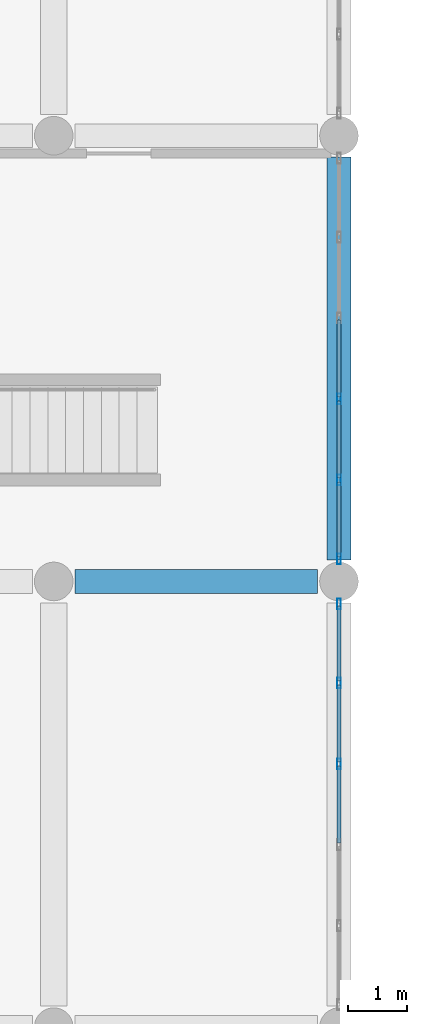
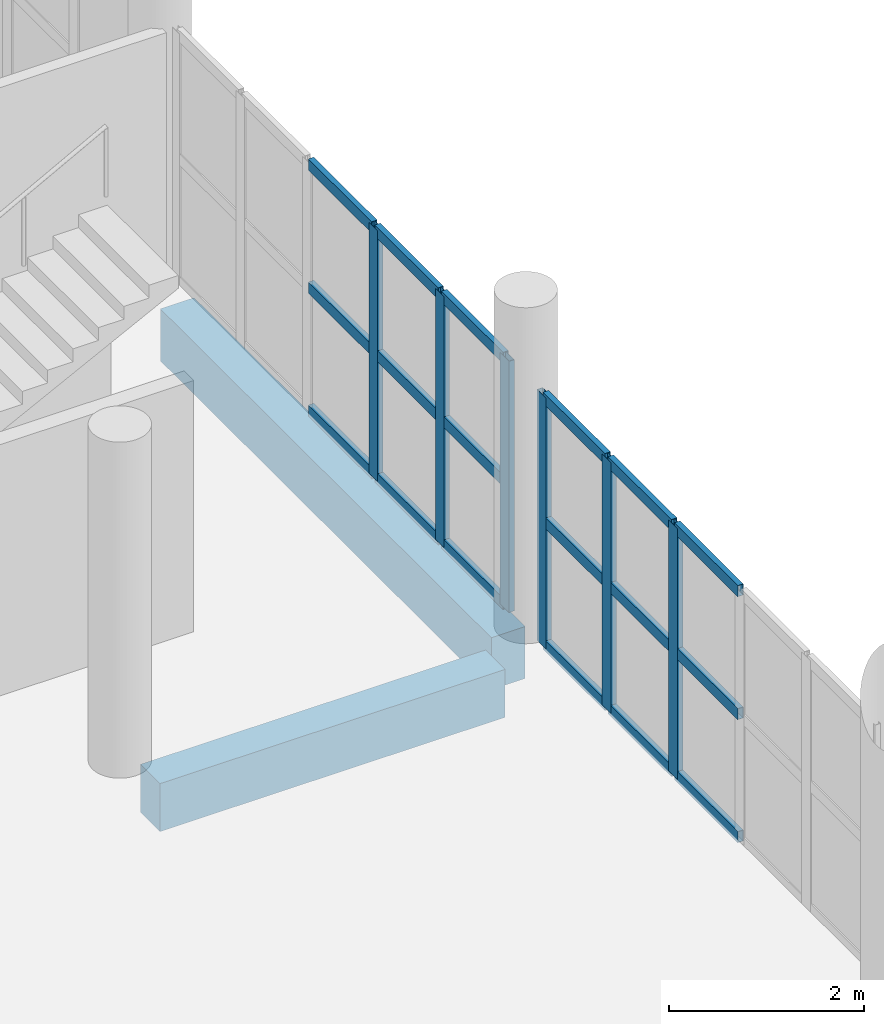
# One storey, part 63 of 164: 24 members, 2 beams, 2 elements without a shape of their own.
"""IFC4 building model written with IfcOpenShell, lengths in metres."""

from ifc_helpers import new_model, si_unit, direction, frame, origin, origin_2d, place, context, subcontext, project, spatial, rectangle, hollow_rectangle, extrude, material, layer, layer_set, material_profile, profile_set, type_object, element, aggregate, save


model = new_model("IFC4")

# Units and contexts
model_context = context("Model", 3, precision=1e-05, world=origin(), true_north=direction((0.0, 1.0)))
body_context = subcontext(model_context, "Body", "Model", "MODEL_VIEW")
ifc_project = project(units=[si_unit("LENGTHUNIT", "METRE"), si_unit("AREAUNIT", "SQUARE_METRE"), si_unit("VOLUMEUNIT", "CUBIC_METRE"), si_unit("PLANEANGLEUNIT", "RADIAN"), si_unit("MASSUNIT", "GRAM", prefix="KILO")], contexts=[model_context])

# Site, building, storey
site_placement = place(None, origin())
site = spatial("IfcSite", under=ifc_project, at=site_placement, CompositionType="ELEMENT")
building_placement = place(site_placement, origin())
building = spatial("IfcBuilding", under=site, at=building_placement, Name="Mawjan Specialist Oncology Clinic", CompositionType="ELEMENT")
storey_placement = place(building_placement, frame((0.0, 0.0, 5.0)))
storey = spatial("IfcBuildingStorey", under=building, at=storey_placement, Name="L01", CompositionType="ELEMENT", Elevation=5.0)

# Beam
ifc_material_1 = material(Name="Concrete C40/50", Category="concrete")
ifc_material_profile_1 = material_profile(ifc_material_1, rectangle(XDim=0.39990234375, YDim=0.60009765625, at=origin_2d()), Name="RC BM 400x600", Category="concrete")
ifc_profile_set_1 = profile_set([ifc_material_profile_1], Name="Concrete C40/50")
beam_type_1 = type_object("IfcBeamType", Name="BM-400x600", PredefinedType="BEAM", material=ifc_profile_set_1)
beam_1_placement = place(storey_placement, frame((103.56005859375, 60.800048828125, -0.60009765625), z_axis=(1.0, 0.0, 0.0), x_axis=(0.0, 1.0, 0.0)))
element("IfcBeam", 1, at=beam_1_placement, inside=storey, type_object=beam_type_1, Name="L01 Collector Beam BM-L01-0302", PredefinedType="BEAM", context=body_context, shape_type="SweptSolid", body=[
    extrude(rectangle(XDim=0.39990234375, YDim=0.60009765625, at=origin_2d()), origin(), (0.0, 0.0, 1.0), 4.079833984375),
])

# Curtain wall, members
ifc_material_2 = material(Name="Unitised spectrally selective aluminium curtain wall", Category="aluminium")
ifc_layer = layer(ifc_material_2, 0.179931640625, Name="Unitised spectrally selective aluminium curtain wall", Category="aluminium")
ifc_layer_set = layer_set([ifc_layer], Name="Unitised spectrally selective aluminium curtain wall")
curtain_wall_type = type_object("IfcCurtainWallType", Name="CW-55", PredefinedType="NOTDEFINED", material=ifc_layer_set)
curtain_wall_1_placement = place(storey_placement, origin())
curtain_wall_1 = element("IfcCurtainWall", 2, at=curtain_wall_1_placement, inside=storey, type_object=curtain_wall_type, Name="L01 Unitised Curtain Wall CW-L01-133", PredefinedType="NOTDEFINED")
ifc_material_3 = material(Name="Thermally broken aluminium 6063-T6", Category="aluminium")
ifc_material_profile_2 = material_profile(ifc_material_3, hollow_rectangle(XDim=0.06494140625, YDim=0.179931640625, WallThickness=0.00390625, at=origin_2d()), Name="ALU MULLION 180x65x4", Category="aluminium")
ifc_profile_set_2 = profile_set([ifc_material_profile_2], Name="Thermally broken aluminium 6063-T6")
member_type_1 = type_object("IfcMemberType", Name="CW-M180", PredefinedType="MULLION", material=ifc_profile_set_2)
member_1_placement = place(storey_placement, frame((108.0, 63.868896484375, 0.0), z_axis=(0.0, 0.0, 1.0), x_axis=(1.0, 0.0, 0.0)))
member_1 = element("IfcMember", 3, at=member_1_placement, type_object=member_type_1, Name="CW-55 mullion 4", PredefinedType="MULLION", context=body_context, shape_type="SweptSolid", body=[
    extrude(hollow_rectangle(XDim=0.06494140625, YDim=0.179931640625, WallThickness=0.00390625, at=origin_2d()), origin(), (0.0, 0.0, 1.0), 3.139892578125),
])
member_2_placement = place(storey_placement, frame((108.0, 62.507080078125, 0.0), z_axis=(0.0, 0.0, 1.0), x_axis=(1.0, 0.0, 0.0)))
member_2 = element("IfcMember", 4, at=member_2_placement, type_object=member_type_1, Name="CW-55 mullion 5", PredefinedType="MULLION", context=body_context, shape_type="SweptSolid", body=[
    extrude(hollow_rectangle(XDim=0.06494140625, YDim=0.179931640625, WallThickness=0.00390625, at=origin_2d()), origin(), (0.0, 0.0, 1.0), 3.139892578125),
])
member_3_placement = place(storey_placement, frame((108.0, 61.177490234375, 0.0), z_axis=(0.0, 0.0, 1.0), x_axis=(1.0, 0.0, 0.0)))
member_3 = element("IfcMember", 5, at=member_3_placement, type_object=member_type_1, Name="CW-55 mullion 6", PredefinedType="MULLION", context=body_context, shape_type="SweptSolid", body=[
    extrude(hollow_rectangle(XDim=0.06494140625, YDim=0.179931640625, WallThickness=0.00390625, at=origin_2d()), origin(), (0.0, 0.0, 1.0), 3.139892578125),
])

curtain_wall_2_placement = place(storey_placement, origin())
curtain_wall_2 = element("IfcCurtainWall", 6, at=curtain_wall_2_placement, inside=storey, type_object=curtain_wall_type, Name="L01 Unitised Curtain Wall CW-L01-134", PredefinedType="NOTDEFINED")
member_4_placement = place(storey_placement, frame((108.0, 60.422607421875, 0.0), z_axis=(0.0, 0.0, 1.0), x_axis=(1.0, 0.0, 0.0)))
member_4 = element("IfcMember", 7, at=member_4_placement, type_object=member_type_1, Name="CW-55 mullion 1", PredefinedType="MULLION", context=body_context, shape_type="SweptSolid", body=[
    extrude(hollow_rectangle(XDim=0.06494140625, YDim=0.179931640625, WallThickness=0.00390625, at=origin_2d()), origin(), (0.0, 0.0, 1.0), 3.139892578125),
])
member_5_placement = place(storey_placement, frame((108.0, 59.093017578125, 0.0), z_axis=(0.0, 0.0, 1.0), x_axis=(1.0, 0.0, 0.0)))
member_5 = element("IfcMember", 8, at=member_5_placement, type_object=member_type_1, Name="CW-55 mullion 2", PredefinedType="MULLION", context=body_context, shape_type="SweptSolid", body=[
    extrude(hollow_rectangle(XDim=0.06494140625, YDim=0.179931640625, WallThickness=0.00390625, at=origin_2d()), origin(), (0.0, 0.0, 1.0), 3.139892578125),
])
member_6_placement = place(storey_placement, frame((108.0, 57.73095703125, 0.0), z_axis=(0.0, 0.0, 1.0), x_axis=(1.0, 0.0, 0.0)))
member_6 = element("IfcMember", 9, at=member_6_placement, type_object=member_type_1, Name="CW-55 mullion 3", PredefinedType="MULLION", context=body_context, shape_type="SweptSolid", body=[
    extrude(hollow_rectangle(XDim=0.06494140625, YDim=0.179931640625, WallThickness=0.00390625, at=origin_2d()), origin(), (0.0, 0.0, 1.0), 3.139892578125),
])

# Member
ifc_material_4 = material(Name="Thermally broken aluminium 6063-T6", Category="aluminium")
ifc_material_profile_3 = material_profile(ifc_material_4, hollow_rectangle(XDim=0.06494140625, YDim=0.139892578125, WallThickness=0.00390625, at=origin_2d()), Name="ALU TRANSOM 140x65x4", Category="aluminium")
ifc_profile_set_3 = profile_set([ifc_material_profile_3], Name="Thermally broken aluminium 6063-T6")
member_type_2 = type_object("IfcMemberType", Name="CW-T140", PredefinedType="USERDEFINED", material=ifc_profile_set_3)
member_7_placement = place(storey_placement, frame((108.0, 65.198486328125, 0.032470703125), z_axis=(0.0, -1.0, 0.0), x_axis=(1.0, 0.0, 0.0)))
member_7 = element("IfcMember", 10, at=member_7_placement, type_object=member_type_2, Name="CW-55 transom 3.1", ObjectType="TRANSOM", PredefinedType="USERDEFINED", context=body_context, shape_type="SweptSolid", body=[
    extrude(hollow_rectangle(XDim=0.06494140625, YDim=0.139892578125, WallThickness=0.00390625, at=origin_2d()), origin(), (0.0, 0.0, 1.0), 1.296875),
])

member_8_placement = place(storey_placement, frame((108.0, 65.198486328125, 1.570068359375), z_axis=(0.0, -1.0, 0.0), x_axis=(1.0, 0.0, 0.0)))
member_8 = element("IfcMember", 11, at=member_8_placement, type_object=member_type_2, Name="CW-55 transom 3.2", ObjectType="TRANSOM", PredefinedType="USERDEFINED", context=body_context, shape_type="SweptSolid", body=[
    extrude(hollow_rectangle(XDim=0.06494140625, YDim=0.139892578125, WallThickness=0.00390625, at=origin_2d()), origin(), (0.0, 0.0, 1.0), 1.296875),
])

member_9_placement = place(storey_placement, frame((108.0, 65.198486328125, 3.107421875), z_axis=(0.0, -1.0, 0.0), x_axis=(1.0, 0.0, 0.0)))
member_9 = element("IfcMember", 12, at=member_9_placement, type_object=member_type_2, Name="CW-55 transom 3.3", ObjectType="TRANSOM", PredefinedType="USERDEFINED", context=body_context, shape_type="SweptSolid", body=[
    extrude(hollow_rectangle(XDim=0.06494140625, YDim=0.139892578125, WallThickness=0.00390625, at=origin_2d()), origin(), (0.0, 0.0, 1.0), 1.296875),
])

member_10_placement = place(storey_placement, frame((108.0, 63.83642578125, 0.032470703125), z_axis=(0.0, -1.0, 0.0), x_axis=(1.0, 0.0, 0.0)))
member_10 = element("IfcMember", 13, at=member_10_placement, type_object=member_type_2, Name="CW-55 transom 4.1", ObjectType="TRANSOM", PredefinedType="USERDEFINED", context=body_context, shape_type="SweptSolid", body=[
    extrude(hollow_rectangle(XDim=0.06494140625, YDim=0.139892578125, WallThickness=0.00390625, at=origin_2d()), origin(), (0.0, 0.0, 1.0), 1.296875),
])

member_11_placement = place(storey_placement, frame((108.0, 63.83642578125, 1.570068359375), z_axis=(0.0, -1.0, 0.0), x_axis=(1.0, 0.0, 0.0)))
member_11 = element("IfcMember", 14, at=member_11_placement, type_object=member_type_2, Name="CW-55 transom 4.2", ObjectType="TRANSOM", PredefinedType="USERDEFINED", context=body_context, shape_type="SweptSolid", body=[
    extrude(hollow_rectangle(XDim=0.06494140625, YDim=0.139892578125, WallThickness=0.00390625, at=origin_2d()), origin(), (0.0, 0.0, 1.0), 1.296875),
])

member_12_placement = place(storey_placement, frame((108.0, 63.83642578125, 3.107421875), z_axis=(0.0, -1.0, 0.0), x_axis=(1.0, 0.0, 0.0)))
member_12 = element("IfcMember", 15, at=member_12_placement, type_object=member_type_2, Name="CW-55 transom 4.3", ObjectType="TRANSOM", PredefinedType="USERDEFINED", context=body_context, shape_type="SweptSolid", body=[
    extrude(hollow_rectangle(XDim=0.06494140625, YDim=0.139892578125, WallThickness=0.00390625, at=origin_2d()), origin(), (0.0, 0.0, 1.0), 1.296875),
])

member_13_placement = place(storey_placement, frame((108.0, 62.474609375, 0.032470703125), z_axis=(0.0, -1.0, 0.0), x_axis=(1.0, 0.0, 0.0)))
member_13 = element("IfcMember", 16, at=member_13_placement, type_object=member_type_2, Name="CW-55 transom 5.1", ObjectType="TRANSOM", PredefinedType="USERDEFINED", context=body_context, shape_type="SweptSolid", body=[
    extrude(hollow_rectangle(XDim=0.06494140625, YDim=0.139892578125, WallThickness=0.00390625, at=origin_2d()), origin(), (0.0, 0.0, 1.0), 1.2646484375),
])

member_14_placement = place(storey_placement, frame((108.0, 62.474609375, 1.570068359375), z_axis=(0.0, -1.0, 0.0), x_axis=(1.0, 0.0, 0.0)))
member_14 = element("IfcMember", 17, at=member_14_placement, type_object=member_type_2, Name="CW-55 transom 5.2", ObjectType="TRANSOM", PredefinedType="USERDEFINED", context=body_context, shape_type="SweptSolid", body=[
    extrude(hollow_rectangle(XDim=0.06494140625, YDim=0.139892578125, WallThickness=0.00390625, at=origin_2d()), origin(), (0.0, 0.0, 1.0), 1.2646484375),
])

member_15_placement = place(storey_placement, frame((108.0, 62.474609375, 3.107421875), z_axis=(0.0, -1.0, 0.0), x_axis=(1.0, 0.0, 0.0)))
member_15 = element("IfcMember", 18, at=member_15_placement, type_object=member_type_2, Name="CW-55 transom 5.3", ObjectType="TRANSOM", PredefinedType="USERDEFINED", context=body_context, shape_type="SweptSolid", body=[
    extrude(hollow_rectangle(XDim=0.06494140625, YDim=0.139892578125, WallThickness=0.00390625, at=origin_2d()), origin(), (0.0, 0.0, 1.0), 1.2646484375),
])

aggregate(curtain_wall_1, [member_1, member_2, member_3, member_7, member_8, member_9, member_10, member_11, member_12, member_13, member_14, member_15])

member_16_placement = place(storey_placement, frame((108.0, 60.389892578125, 0.032470703125), z_axis=(0.0, -1.0, 0.0), x_axis=(1.0, 0.0, 0.0)))
member_16 = element("IfcMember", 19, at=member_16_placement, type_object=member_type_2, Name="CW-55 transom 1.1", ObjectType="TRANSOM", PredefinedType="USERDEFINED", context=body_context, shape_type="SweptSolid", body=[
    extrude(hollow_rectangle(XDim=0.06494140625, YDim=0.139892578125, WallThickness=0.00390625, at=origin_2d()), origin(), (0.0, 0.0, 1.0), 1.264404296875),
])

member_17_placement = place(storey_placement, frame((108.0, 60.389892578125, 1.570068359375), z_axis=(0.0, -1.0, 0.0), x_axis=(1.0, 0.0, 0.0)))
member_17 = element("IfcMember", 20, at=member_17_placement, type_object=member_type_2, Name="CW-55 transom 1.2", ObjectType="TRANSOM", PredefinedType="USERDEFINED", context=body_context, shape_type="SweptSolid", body=[
    extrude(hollow_rectangle(XDim=0.06494140625, YDim=0.139892578125, WallThickness=0.00390625, at=origin_2d()), origin(), (0.0, 0.0, 1.0), 1.264404296875),
])

member_18_placement = place(storey_placement, frame((108.0, 60.389892578125, 3.107421875), z_axis=(0.0, -1.0, 0.0), x_axis=(1.0, 0.0, 0.0)))
member_18 = element("IfcMember", 21, at=member_18_placement, type_object=member_type_2, Name="CW-55 transom 1.3", ObjectType="TRANSOM", PredefinedType="USERDEFINED", context=body_context, shape_type="SweptSolid", body=[
    extrude(hollow_rectangle(XDim=0.06494140625, YDim=0.139892578125, WallThickness=0.00390625, at=origin_2d()), origin(), (0.0, 0.0, 1.0), 1.264404296875),
])

member_19_placement = place(storey_placement, frame((108.0, 59.060546875, 0.032470703125), z_axis=(0.0, -1.0, 0.0), x_axis=(1.0, 0.0, 0.0)))
member_19 = element("IfcMember", 22, at=member_19_placement, type_object=member_type_2, Name="CW-55 transom 2.1", ObjectType="TRANSOM", PredefinedType="USERDEFINED", context=body_context, shape_type="SweptSolid", body=[
    extrude(hollow_rectangle(XDim=0.06494140625, YDim=0.139892578125, WallThickness=0.00390625, at=origin_2d()), origin(), (0.0, 0.0, 1.0), 1.297119140625),
])

member_20_placement = place(storey_placement, frame((108.0, 59.060546875, 1.570068359375), z_axis=(0.0, -1.0, 0.0), x_axis=(1.0, 0.0, 0.0)))
member_20 = element("IfcMember", 23, at=member_20_placement, type_object=member_type_2, Name="CW-55 transom 2.2", ObjectType="TRANSOM", PredefinedType="USERDEFINED", context=body_context, shape_type="SweptSolid", body=[
    extrude(hollow_rectangle(XDim=0.06494140625, YDim=0.139892578125, WallThickness=0.00390625, at=origin_2d()), origin(), (0.0, 0.0, 1.0), 1.297119140625),
])

member_21_placement = place(storey_placement, frame((108.0, 59.060546875, 3.107421875), z_axis=(0.0, -1.0, 0.0), x_axis=(1.0, 0.0, 0.0)))
member_21 = element("IfcMember", 24, at=member_21_placement, type_object=member_type_2, Name="CW-55 transom 2.3", ObjectType="TRANSOM", PredefinedType="USERDEFINED", context=body_context, shape_type="SweptSolid", body=[
    extrude(hollow_rectangle(XDim=0.06494140625, YDim=0.139892578125, WallThickness=0.00390625, at=origin_2d()), origin(), (0.0, 0.0, 1.0), 1.297119140625),
])

member_22_placement = place(storey_placement, frame((108.0, 57.698486328125, 0.032470703125), z_axis=(0.0, -1.0, 0.0), x_axis=(1.0, 0.0, 0.0)))
member_22 = element("IfcMember", 25, at=member_22_placement, type_object=member_type_2, Name="CW-55 transom 3.1", ObjectType="TRANSOM", PredefinedType="USERDEFINED", context=body_context, shape_type="SweptSolid", body=[
    extrude(hollow_rectangle(XDim=0.06494140625, YDim=0.139892578125, WallThickness=0.00390625, at=origin_2d()), origin(), (0.0, 0.0, 1.0), 1.296875),
])

member_23_placement = place(storey_placement, frame((108.0, 57.698486328125, 1.570068359375), z_axis=(0.0, -1.0, 0.0), x_axis=(1.0, 0.0, 0.0)))
member_23 = element("IfcMember", 26, at=member_23_placement, type_object=member_type_2, Name="CW-55 transom 3.2", ObjectType="TRANSOM", PredefinedType="USERDEFINED", context=body_context, shape_type="SweptSolid", body=[
    extrude(hollow_rectangle(XDim=0.06494140625, YDim=0.139892578125, WallThickness=0.00390625, at=origin_2d()), origin(), (0.0, 0.0, 1.0), 1.296875),
])

member_24_placement = place(storey_placement, frame((108.0, 57.698486328125, 3.107421875), z_axis=(0.0, -1.0, 0.0), x_axis=(1.0, 0.0, 0.0)))
member_24 = element("IfcMember", 27, at=member_24_placement, type_object=member_type_2, Name="CW-55 transom 3.3", ObjectType="TRANSOM", PredefinedType="USERDEFINED", context=body_context, shape_type="SweptSolid", body=[
    extrude(hollow_rectangle(XDim=0.06494140625, YDim=0.139892578125, WallThickness=0.00390625, at=origin_2d()), origin(), (0.0, 0.0, 1.0), 1.296875),
])

aggregate(curtain_wall_2, [member_4, member_5, member_6, member_16, member_17, member_18, member_19, member_20, member_21, member_22, member_23, member_24])

# Beam
ifc_material_5 = material(Name="Concrete C45/55", Category="concrete")
ifc_material_profile_4 = material_profile(ifc_material_5, rectangle(XDim=0.39990234375, YDim=0.64990234375, at=origin_2d()), Name="RC BM 400x650", Category="concrete")
ifc_profile_set_4 = profile_set([ifc_material_profile_4], Name="Concrete C45/55")
beam_type_2 = type_object("IfcBeamType", Name="SP-400x650", PredefinedType="SPANDREL", material=ifc_profile_set_4)
beam_2_placement = place(storey_placement, frame((108.0, 61.159912109375, -0.625), z_axis=(0.0, 1.0, 0.0), x_axis=(-1.0, 0.0, 0.0)))
element("IfcBeam", 28, at=beam_2_placement, inside=storey, type_object=beam_type_2, Name="L01 Spandrel Beam BM-L01-0559", PredefinedType="SPANDREL", context=body_context, shape_type="SweptSolid", body=[
    extrude(rectangle(XDim=0.39990234375, YDim=0.64990234375, at=origin_2d()), origin(), (0.0, 0.0, 1.0), 6.780029296875),
])

save(model, "model.ifc")
